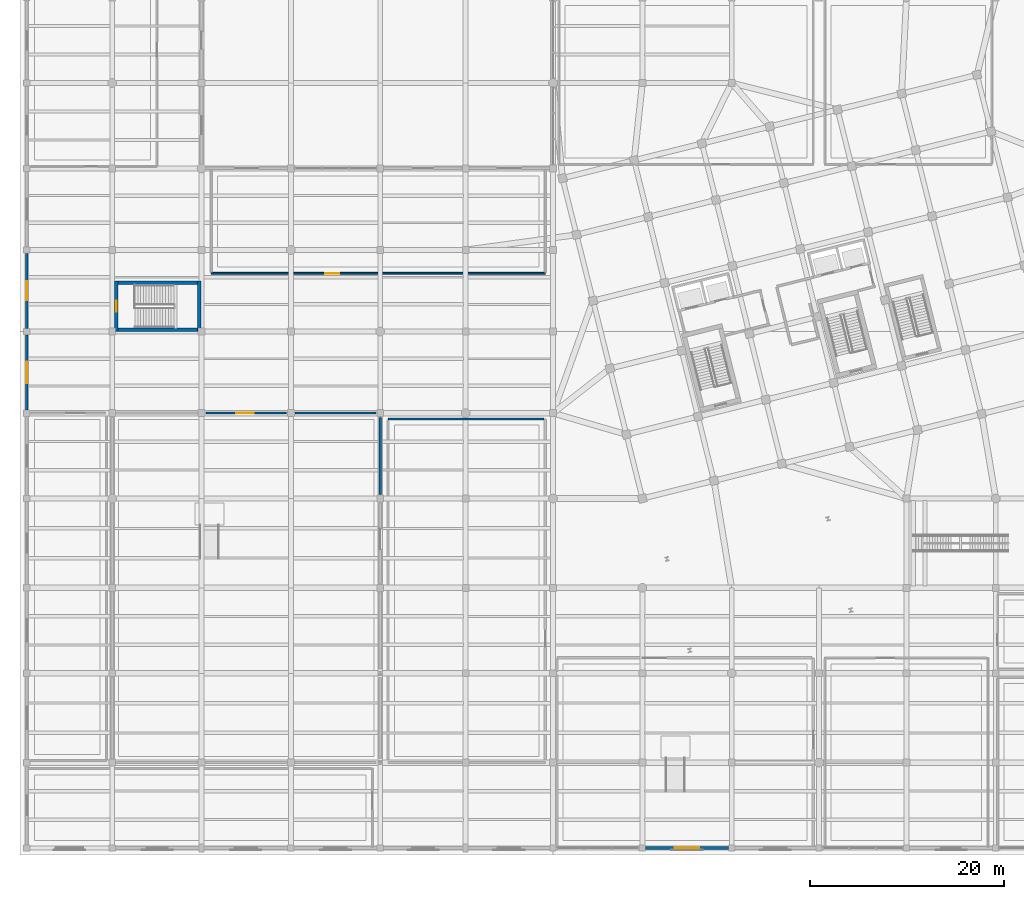
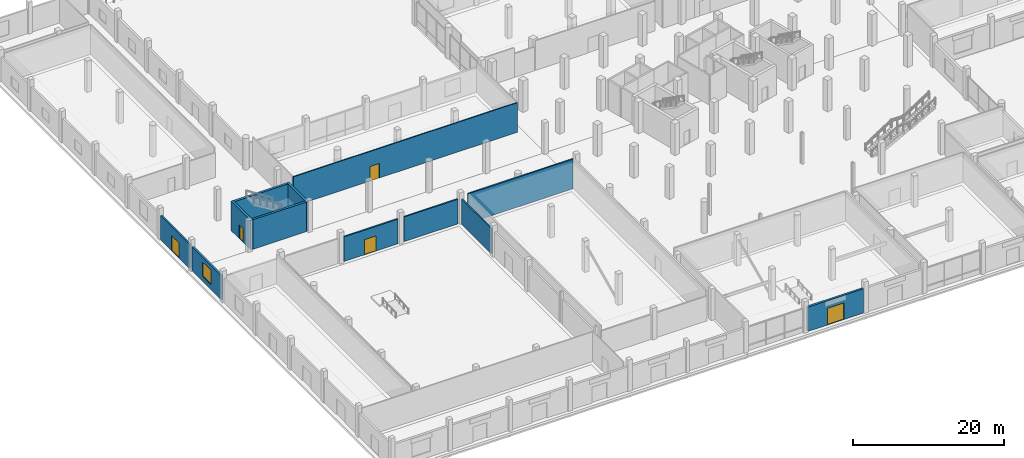
# One storey, part 58 of 73: 12 walls, 5 doors, 1 window, 6 openings.
"""IFC4 building model written with IfcOpenShell, lengths in metres."""

from ifc_helpers import new_model, si_unit, direction, frame, frame_2d, origin, place, context, subcontext, project, spatial, rectangle, extrude, material, layer, layer_set, type_object, element, fill, save


model = new_model("IFC4")

# Units and contexts
model_context = context("Model", 3, precision=1e-05, world=origin(), true_north=direction((0.0, 1.0)))
body_context = subcontext(model_context, "Body", "Model", "MODEL_VIEW")
ifc_project = project(units=[si_unit("LENGTHUNIT", "METRE"), si_unit("AREAUNIT", "SQUARE_METRE"), si_unit("VOLUMEUNIT", "CUBIC_METRE"), si_unit("PLANEANGLEUNIT", "RADIAN"), si_unit("MASSUNIT", "GRAM", prefix="KILO")], contexts=[model_context])

# Site, building, storey
site_placement = place(None, origin())
site = spatial("IfcSite", under=ifc_project, at=site_placement, CompositionType="ELEMENT")
building_placement = place(site_placement, origin())
building = spatial("IfcBuilding", under=site, at=building_placement, Name="Meriwether Solvik Hall", CompositionType="ELEMENT")
storey_placement = place(building_placement, origin())
storey = spatial("IfcBuildingStorey", under=building, at=storey_placement, Name="L00", CompositionType="ELEMENT", Elevation=0.0)

# Wall
ifc_material_1 = material(Name="Acoustic Mineral-Wool Double Gypsum Board", Category="gypsum")
ifc_layer_1 = layer(ifc_material_1, 0.219970703125)
ifc_layer_set_1 = layer_set([ifc_layer_1], Name="Acoustic Mineral-Wool Double Gypsum Board")
wall_type_1 = type_object("IfcWallType", Name="WALL-ACST-220", PredefinedType="PARTITIONING", material=ifc_layer_set_1)
wall_1_placement = place(storey_placement, frame((41.60009765625, 49.56005859375, 0.0), z_axis=(0.0, 0.0, 1.0), x_axis=(0.0, -1.0, 0.0)))
element("IfcWall", 1, at=wall_1_placement, inside=storey, type_object=wall_type_1, Name="L00 Interior Partition sanctuary_e", PredefinedType="PARTITIONING", context=body_context, shape_type="SweptSolid", body=[
    extrude(rectangle(XDim=7.920166015625, YDim=0.219970703125, at=frame_2d((3.9599609375, 0.0))), origin(), (0.0, 0.0, 1.0), 4.10009765625),
])

# Wall, opening, door
wall_2_placement = place(storey_placement, frame((23.639892578125, 50.0, 0.0), z_axis=(0.0, 0.0, 1.0), x_axis=(1.0, 0.0, 0.0)))
wall_2 = element("IfcWall", 2, at=wall_2_placement, inside=storey, type_object=wall_type_1, Name="L00 Interior Partition sanctuary_n_s2", PredefinedType="PARTITIONING", context=body_context, shape_type="SweptSolid", body=[
    extrude(rectangle(XDim=8.320068359375, YDim=0.219970703125, at=frame_2d((4.16015625, 0.0))), origin(), (0.0, 0.0, 1.0), 4.0),
])
opening_1_placement = place(wall_2_placement, frame((3.150634765625, 0.0, 0.0)))
opening_1 = element("IfcOpeningElement", 3, at=opening_1_placement, cuts=wall_2, Name="Opening D-182", PredefinedType="OPENING", context=body_context, shape_type="SweptSolid", body=[
    extrude(rectangle(XDim=1.800048828125, YDim=2.449951171875, at=frame_2d((0.89990234375, 1.22509765625))), frame((0.0, 0.1220703125, 0.0), z_axis=(0.0, -1.0, 0.0), x_axis=(1.0, 0.0, 0.0)), (0.0, 0.0, 1.0), 0.243896484375),
])
ifc_material_2 = material(Name="Solid-Core Rift White Oak Timber", Category="wood")
door_type_1 = type_object("IfcDoorType", Name="DR-AC-1800", OperationType="DOUBLE_DOOR_SINGLE_SWING", PredefinedType="DOOR", material=ifc_material_2)
door_1_placement = place(opening_1_placement, origin())
door_1 = element("IfcDoor", 4, at=door_1_placement, inside=storey, type_object=door_type_1, Name="Sanctuary Door 1", OperationType="DOUBLE_DOOR_SINGLE_SWING", OverallHeight=2.449951171875, OverallWidth=1.800048828125, PredefinedType="DOOR", context=body_context, shape_type="SweptSolid", body=[
    extrude(rectangle(XDim=1.800048828125, YDim=2.449951171875, at=frame_2d((0.89990234375, 1.22509765625))), frame((0.0, 0.02490234375, 0.0), z_axis=(0.0, -1.0, 0.0), x_axis=(1.0, 0.0, 0.0)), (0.0, 0.0, 1.0), 0.050048828125),
])
fill(opening_1, door_1)

# Walls
wall_3_placement = place(storey_placement, frame((32.840087890625, 50.0, 0.0), z_axis=(0.0, 0.0, 1.0), x_axis=(1.0, 0.0, 0.0)))
element("IfcWall", 5, at=wall_3_placement, inside=storey, type_object=wall_type_1, Name="L00 Interior Partition sanctuary_n_s3", PredefinedType="PARTITIONING", context=body_context, shape_type="SweptSolid", body=[
    extrude(rectangle(XDim=8.31982421875, YDim=0.219970703125, at=frame_2d((4.159912109375, 0.0))), origin(), (0.0, 0.0, 1.0), 4.0),
])
wall_4_placement = place(storey_placement, frame((58.47998046875, 49.39990234375, 0.0), z_axis=(0.0, 0.0, 1.0), x_axis=(-1.0, 0.0, 0.0)))
element("IfcWall", 6, at=wall_4_placement, inside=storey, type_object=wall_type_1, Name="L00 Interior Partition music_prac_n", PredefinedType="PARTITIONING", context=body_context, shape_type="SweptSolid", body=[
    extrude(rectangle(XDim=16.080078125, YDim=0.219970703125, at=frame_2d((8.0400390625, 0.0))), origin(), (0.0, 0.0, 1.0), 4.800048828125),
])

# Wall, opening, door
ifc_material_3 = material(Name="Double-Layer Acoustic Gypsum Board", Category="gypsum")
ifc_layer_2 = layer(ifc_material_3, 0.1650390625)
ifc_layer_set_2 = layer_set([ifc_layer_2], Name="Double-Layer Acoustic Gypsum Board")
wall_type_2 = type_object("IfcWallType", Name="WALL-DEM-165", PredefinedType="PARTITIONING", material=ifc_layer_set_2)
wall_5_placement = place(storey_placement, frame((24.199951171875, 64.39990234375, 0.0), z_axis=(0.0, 0.0, 1.0), x_axis=(1.0, 0.0, 0.0)))
wall_5 = element("IfcWall", 7, at=wall_5_placement, inside=storey, type_object=wall_type_2, Name="L00 Interior Partition vol_west_s", PredefinedType="PARTITIONING", context=body_context, shape_type="SweptSolid", body=[
    extrude(rectangle(XDim=34.400146484375, YDim=0.1650390625, at=frame_2d((17.2001953125, 0.0))), origin(), (0.0, 0.0, 1.0), 4.800048828125),
])
opening_2_placement = place(wall_5_placement, frame((11.75244140625, 0.0, 0.0)))
opening_2 = element("IfcOpeningElement", 8, at=opening_2_placement, cuts=wall_5, Name="Opening D-152", PredefinedType="OPENING", context=body_context, shape_type="SweptSolid", body=[
    extrude(rectangle(XDim=1.449951171875, YDim=2.35009765625, at=frame_2d((0.72509765625, 1.175048828125))), frame((0.0, 0.094482421875, 0.0), z_axis=(0.0, -1.0, 0.0), x_axis=(1.0, 0.0, 0.0)), (0.0, 0.0, 1.0), 0.18896484375),
])
ifc_material_4 = material(Name="Laminated Vision Glass and Solid White Oak Timber", Category="wood")
door_type_2 = type_object("IfcDoorType", Name="DR-CONF-1450", OperationType="DOUBLE_DOOR_SINGLE_SWING", PredefinedType="DOOR", material=ifc_material_4)
door_2_placement = place(opening_2_placement, origin())
door_2 = element("IfcDoor", 9, at=door_2_placement, inside=storey, type_object=door_type_2, Name="Community Counseling and Outreach Office Door", OperationType="DOUBLE_DOOR_SINGLE_SWING", OverallHeight=2.35009765625, OverallWidth=1.449951171875, PredefinedType="DOOR", context=body_context, shape_type="SweptSolid", body=[
    extrude(rectangle(XDim=1.449951171875, YDim=2.35009765625, at=frame_2d((0.72509765625, 1.175048828125))), frame((0.0, 0.02490234375, 0.0), z_axis=(0.0, -1.0, 0.0), x_axis=(1.0, 0.0, 0.0)), (0.0, 0.0, 1.0), 0.050048828125),
])
fill(opening_2, door_2)

# Wall, opening, window
ifc_material_5 = material(Name="Terracotta Cladding on Concrete C40/50", Category="masonry")
ifc_layer_3 = layer(ifc_material_5, 0.2548828125)
ifc_layer_set_3 = layer_set([ifc_layer_3], Name="Terracotta Cladding on Concrete C40/50")
wall_type_3 = type_object("IfcWallType", Name="WALL-EXT-255", PredefinedType="SOLIDWALL", material=ifc_layer_set_3)
wall_6_placement = place(storey_placement, frame((5.199951171875, 50.3369140625, 0.0), z_axis=(0.0, 0.0, 1.0), x_axis=(0.0, 1.0, 0.0)))
wall_6 = element("IfcWall", 10, at=wall_6_placement, inside=storey, type_object=wall_type_3, Name="L00 W Wing Facade Wall Y1_6_41", PredefinedType="SOLIDWALL", context=body_context, shape_type="SweptSolid", body=[
    extrude(rectangle(XDim=7.72607421875, YDim=0.2548828125, at=frame_2d((3.863037109375, 0.0))), origin(), (0.0, 0.0, 1.0), 3.93994140625),
])
opening_3_placement = place(wall_6_placement, frame((2.762939453125, 0.0, 0.85009765625)))
opening_3 = element("IfcOpeningElement", 11, at=opening_3_placement, cuts=wall_6, Name="Opening WN-175", PredefinedType="OPENING", context=body_context, shape_type="SweptSolid", body=[
    extrude(rectangle(XDim=2.199951171875, YDim=2.300048828125, at=frame_2d((1.10009765625, 1.14990234375))), frame((0.0, 0.139404296875, 0.0), z_axis=(0.0, -1.0, 0.0), x_axis=(1.0, 0.0, 0.0)), (0.0, 0.0, 1.0), 0.27880859375),
])
ifc_material_6 = material(Name="Thermally Broken Anodised Aluminium and Triple Low-E Glass", Category="aluminium")
window_type = type_object("IfcWindowType", Name="WIN-POD-WEST-220X230", PartitioningType="SINGLE_PANEL", PredefinedType="WINDOW", material=ifc_material_6)
window_placement = place(opening_3_placement, origin())
window = element("IfcWindow", 12, at=window_placement, inside=storey, type_object=window_type, Name="L00 W Window Y1_6_41", OverallHeight=2.300048828125, OverallWidth=2.199951171875, PartitioningType="SINGLE_PANEL", PredefinedType="WINDOW", context=body_context, shape_type="SweptSolid", body=[
    extrude(rectangle(XDim=2.199951171875, YDim=2.300048828125, at=frame_2d((1.10009765625, 1.14990234375))), frame((0.0, 0.030029296875, 0.0), z_axis=(0.0, -1.0, 0.0), x_axis=(1.0, 0.0, 0.0)), (0.0, 0.0, 1.0), 0.06005859375),
])
fill(opening_3, window)

# Wall, opening, door
wall_7_placement = place(storey_placement, frame((5.199951171875, 58.737060546875, 0.0), z_axis=(0.0, 0.0, 1.0), x_axis=(0.0, 1.0, 0.0)))
wall_7 = element("IfcWall", 13, at=wall_7_placement, inside=storey, type_object=wall_type_3, Name="L00 W Wing Facade Wall Y1_7_42", PredefinedType="SOLIDWALL", context=body_context, shape_type="SweptSolid", body=[
    extrude(rectangle(XDim=7.725830078125, YDim=0.2548828125, at=frame_2d((3.86279296875, 0.0))), origin(), (0.0, 0.0, 1.0), 3.93994140625),
])
opening_4_placement = place(wall_7_placement, frame((2.863037109375, 0.0, 0.0)))
opening_4 = element("IfcOpeningElement", 14, at=opening_4_placement, cuts=wall_7, Name="Opening D-138", PredefinedType="OPENING", context=body_context, shape_type="SweptSolid", body=[
    extrude(rectangle(XDim=2.0, YDim=2.449951171875, at=frame_2d((1.0, 1.22509765625))), frame((0.0, 0.139404296875, 0.0), z_axis=(0.0, -1.0, 0.0), x_axis=(1.0, 0.0, 0.0)), (0.0, 0.0, 1.0), 0.27880859375),
])
ifc_material_7 = material(Name="Thermally Broken Anodised Aluminium and Laminated Glass", Category="aluminium")
door_type_3 = type_object("IfcDoorType", Name="DR-EXT-EXIT-2000", OperationType="DOUBLE_DOOR_SINGLE_SWING", PredefinedType="DOOR", material=ifc_material_7)
door_3_placement = place(opening_4_placement, origin())
door_3 = element("IfcDoor", 15, at=door_3_placement, inside=storey, type_object=door_type_3, Name="West Stair ST-04 Street Exit Discharge Door", OperationType="DOUBLE_DOOR_SINGLE_SWING", OverallHeight=2.449951171875, OverallWidth=2.0, PredefinedType="DOOR", context=body_context, shape_type="SweptSolid", body=[
    extrude(rectangle(XDim=2.0, YDim=2.449951171875, at=frame_2d((1.0, 1.22509765625))), frame((0.0, 0.02490234375, 0.0), z_axis=(0.0, -1.0, 0.0), x_axis=(1.0, 0.0, 0.0)), (0.0, 0.0, 1.0), 0.050048828125),
])
fill(opening_4, door_3)

ifc_material_8 = material(Name="Concrete C40/50 Precast", Category="concrete")
ifc_layer_4 = layer(ifc_material_8, 0.31494140625)
ifc_layer_set_4 = layer_set([ifc_layer_4], Name="Concrete C40/50 Precast")
wall_type_4 = type_object("IfcWallType", Name="WALL-EXT-315", PredefinedType="SOLIDWALL", material=ifc_layer_set_4)
wall_8_placement = place(storey_placement, frame((77.462890625, 5.199951171875, 0.0), z_axis=(0.0, 0.0, 1.0), x_axis=(-1.0, 0.0, 0.0)))
wall_8 = element("IfcWall", 16, at=wall_8_placement, inside=storey, type_object=wall_type_4, Name="L00 S Wing Facade Wall XA_8_7", PredefinedType="SOLIDWALL", context=body_context, shape_type="SweptSolid", body=[
    extrude(rectangle(XDim=8.52587890625, YDim=0.31494140625, at=frame_2d((4.262939453125, 0.0))), origin(), (0.0, 0.0, 1.0), 3.93994140625),
])
opening_5_placement = place(wall_8_placement, frame((3.012939453125, 0.0, 0.0)))
opening_5 = element("IfcOpeningElement", 17, at=opening_5_placement, cuts=wall_8, Name="Opening D-112", PredefinedType="OPENING", context=body_context, shape_type="SweptSolid", body=[
    extrude(rectangle(XDim=2.5, YDim=2.699951171875, at=frame_2d((1.25, 1.35009765625))), frame((0.0, 0.16943359375, 0.0), z_axis=(0.0, -1.0, 0.0), x_axis=(1.0, 0.0, 0.0)), (0.0, 0.0, 1.0), 0.3388671875),
])
ifc_material_9 = material(Name="Thermally Broken Anodised Aluminium and Laminated Glass", Category="aluminium")
door_type_4 = type_object("IfcDoorType", Name="DR-EXT-MAIN-2500", OperationType="DOUBLE_DOOR_SINGLE_SWING", PredefinedType="DOOR", material=ifc_material_9)
door_4_placement = place(opening_5_placement, origin())
door_4 = element("IfcDoor", 18, at=door_4_placement, inside=storey, type_object=door_type_4, Name="Main Civic South Street Entrance", OperationType="DOUBLE_DOOR_SINGLE_SWING", OverallHeight=2.699951171875, OverallWidth=2.5, PredefinedType="DOOR", context=body_context, shape_type="SweptSolid", body=[
    extrude(rectangle(XDim=2.5, YDim=2.699951171875, at=frame_2d((1.25, 1.35009765625))), frame((0.0, 0.02490234375, 0.0), z_axis=(0.0, -1.0, 0.0), x_axis=(1.0, 0.0, 0.0)), (0.0, 0.0, 1.0), 0.050048828125),
])
fill(opening_5, door_4)

ifc_material_10 = material(Name="Concrete C40/50", Category="concrete")
ifc_layer_5 = layer(ifc_material_10, 0.35009765625)
ifc_layer_set_5 = layer_set([ifc_layer_5], Name="Concrete C40/50")
wall_type_5 = type_object("IfcWallType", Name="WALL-RC-350", PredefinedType="SHEAR", material=ifc_layer_set_5)
wall_9_placement = place(storey_placement, frame((14.425048828125, 58.39990234375, 0.0), z_axis=(0.0, 0.0, 1.0), x_axis=(0.0, 1.0, 0.0)))
wall_9 = element("IfcWall", 19, at=wall_9_placement, inside=storey, type_object=wall_type_5, Name="CORE-4 Shear Wall W (L00)", PredefinedType="SHEAR", context=body_context, shape_type="SweptSolid", body=[
    extrude(rectangle(XDim=5.2001953125, YDim=0.35009765625, at=frame_2d((2.60009765625, 0.0))), origin(), (0.0, 0.0, 1.0), 4.800048828125),
])
opening_6_placement = place(wall_9_placement, frame((2.02490234375, 0.0, 0.0)))
opening_6 = element("IfcOpeningElement", 20, at=opening_6_placement, cuts=wall_9, Name="Opening D-189", PredefinedType="OPENING", context=body_context, shape_type="SweptSolid", body=[
    extrude(rectangle(XDim=1.14990234375, YDim=2.199951171875, at=frame_2d((0.574951171875, 1.10009765625))), frame((0.0, 0.18701171875, 0.0), z_axis=(0.0, -1.0, 0.0), x_axis=(1.0, 0.0, 0.0)), (0.0, 0.0, 1.0), 0.3740234375),
])
ifc_material_11 = material(Name="Steel A36 Galvanised", Category="steel")
door_type_5 = type_object("IfcDoorType", Name="DR-FD90-1150L", OperationType="SINGLE_SWING_LEFT", PredefinedType="DOOR", material=ifc_material_11)
door_5_placement = place(opening_6_placement, origin())
door_5 = element("IfcDoor", 21, at=door_5_placement, inside=storey, type_object=door_type_5, Name="Stair ST-04 Smokeproof Exit Door (L00)", OperationType="SINGLE_SWING_LEFT", OverallHeight=2.199951171875, OverallWidth=1.14990234375, PredefinedType="DOOR", context=body_context, shape_type="SweptSolid", body=[
    extrude(rectangle(XDim=1.14990234375, YDim=2.199951171875, at=frame_2d((0.574951171875, 1.10009765625))), frame((0.0, 0.02490234375, 0.0), z_axis=(0.0, -1.0, 0.0), x_axis=(1.0, 0.0, 0.0)), (0.0, 0.0, 1.0), 0.050048828125),
])
fill(opening_6, door_5)

# Walls
wall_10_placement = place(storey_placement, frame((22.97509765625, 58.39990234375, 0.0), z_axis=(0.0, 0.0, 1.0), x_axis=(0.0, 1.0, 0.0)))
element("IfcWall", 22, at=wall_10_placement, inside=storey, type_object=wall_type_5, Name="CORE-4 Shear Wall E (L00)", PredefinedType="SHEAR", context=body_context, shape_type="SweptSolid", body=[
    extrude(rectangle(XDim=5.2001953125, YDim=0.35009765625, at=frame_2d((2.60009765625, 0.0))), origin(), (0.0, 0.0, 1.0), 4.800048828125),
])
for number, where, z_axis, x_axis, name in (
    (23, (14.610107421875, 58.574951171875, 0.0), (0.0, 0.0, 1.0), (1.0, 0.0, 0.0), "CORE-4 Shear Wall S (L00)"),
    (24, (22.7900390625, 63.425048828125, 0.0), (0.0, 0.0, 1.0), (-1.0, 0.0, 0.0), "CORE-4 Shear Wall N (L00)"),
):
    element("IfcWall", number, at=place(storey_placement, frame(where, z_axis=z_axis, x_axis=x_axis)), inside=storey, type_object=wall_type_5, Name=name, PredefinedType="SHEAR", context=body_context, shape_type="SweptSolid", body=[
        extrude(rectangle(XDim=8.179931640625, YDim=0.35009765625, at=frame_2d((4.08984375, 0.0))), origin(), (0.0, 0.0, 1.0), 4.800048828125),
    ])

save(model, "model.ifc")
